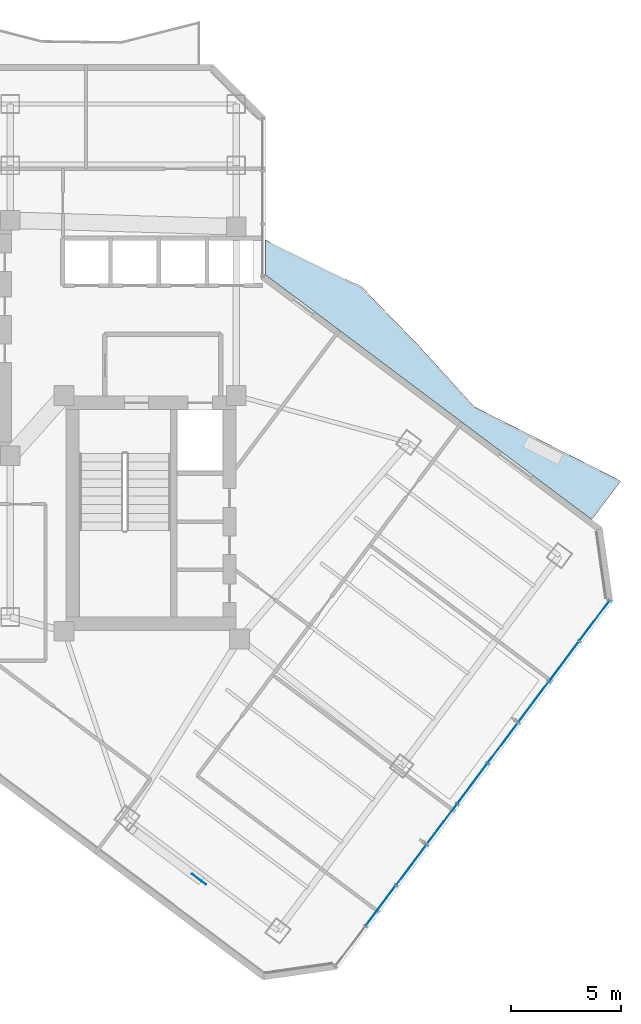
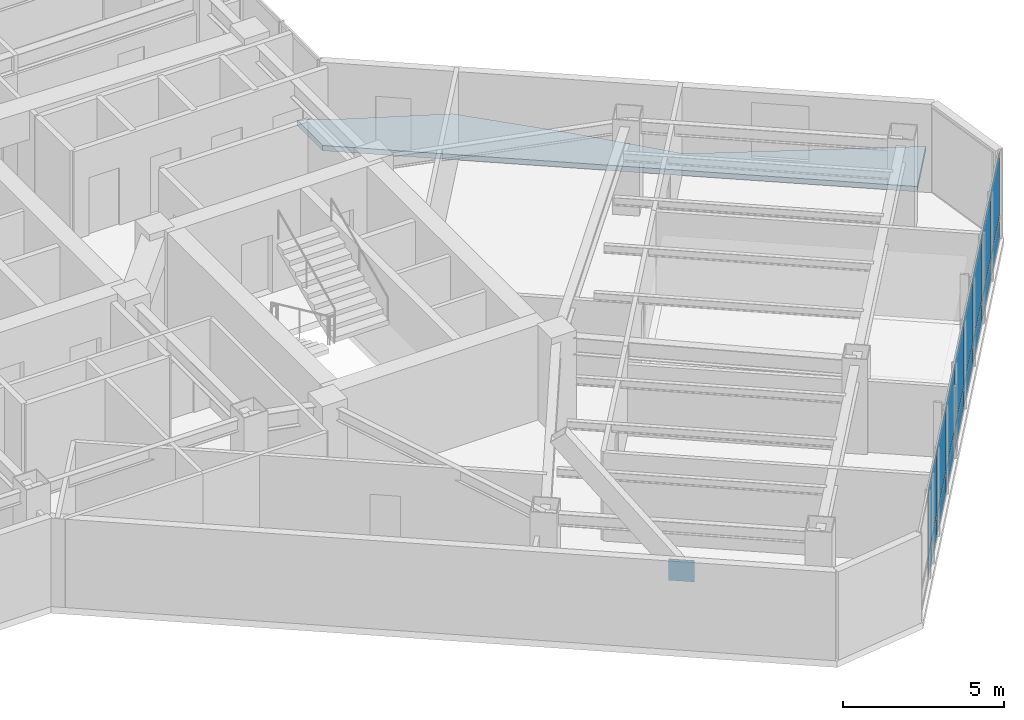
# One storey, part 21 of 28: 17 plates, 1 slab, 1 element without a shape of its own.
"""IFC4 building model written with IfcOpenShell, lengths in metres."""

from ifc_helpers import new_model, si_unit, direction, frame, origin, origin_2d, place, context, subcontext, project, spatial, polyline, rectangle, outline, extrude, material, layer, layer_set, type_object, element, aggregate, save


model = new_model("IFC4")

# Units and contexts
model_context = context("Model", 3, precision=1e-05, world=origin(), true_north=direction((0.0, 1.0)))
body_context = subcontext(model_context, "Body", "Model", "MODEL_VIEW")
ifc_project = project(units=[si_unit("LENGTHUNIT", "METRE"), si_unit("AREAUNIT", "SQUARE_METRE"), si_unit("VOLUMEUNIT", "CUBIC_METRE"), si_unit("PLANEANGLEUNIT", "RADIAN"), si_unit("MASSUNIT", "GRAM", prefix="KILO")], contexts=[model_context])

# Site, building, storey
site_placement = place(None, origin())
site = spatial("IfcSite", under=ifc_project, at=site_placement, CompositionType="ELEMENT")
building_placement = place(site_placement, origin())
building = spatial("IfcBuilding", under=site, at=building_placement, Name="Hatsunagi Terrace Concourse", CompositionType="ELEMENT")
storey_placement = place(building_placement, frame((0.0, 0.0, 160.050048828125)))
storey = spatial("IfcBuildingStorey", under=building, at=storey_placement, Name="L42", CompositionType="ELEMENT", Elevation=160.050048828125)

# Curtain wall, plates
ifc_material_1 = material(Name="Anodised Aluminium Alloy 6063-T5", Category="aluminium")
ifc_layer_1 = layer(ifc_material_1, 0.199951171875)
ifc_layer_set_1 = layer_set([ifc_layer_1], Name="OfficeZone1_CW03")
curtain_wall_type = type_object("IfcCurtainWallType", Name="OfficeZone1_CW03", PredefinedType="NOTDEFINED", material=ifc_layer_set_1)
curtain_wall_placement = place(storey_placement, origin())
curtain_wall = element("IfcCurtainWall", 1, at=curtain_wall_placement, inside=storey, type_object=curtain_wall_type, Name="Unitised Curtain Wall CW-03 CW-L42-03", PredefinedType="NOTDEFINED")
ifc_material_2 = material(Name="Warm Terracotta Ceramic Spandrel Panel", Category="masonry")
ifc_layer_2 = layer(ifc_material_2, 0.031982421875)
ifc_layer_set_2 = layer_set([ifc_layer_2], Name="CurtainWallSpandrelPanel_32")
plate_type_1 = type_object("IfcPlateType", Name="CurtainWallSpandrelPanel_32", PredefinedType="SHEET", material=ifc_layer_set_2)
plate_1_placement = place(storey_placement, frame((59.9970703125, 25.030029296875, 0.030029296875), z_axis=(0.0, 0.0, 1.0), x_axis=(-0.599969314634, -0.800023013105, 0.0)))
plate_1 = element("IfcPlate", 2, at=plate_1_placement, type_object=plate_type_1, Name="Terracotta Spandrel Panel SPN-01", PredefinedType="SHEET", context=body_context, shape_type="SweptSolid", body=[
    extrude(rectangle(XDim=2.264892578125, YDim=0.031982421875, at=origin_2d()), origin(), (0.0, 0.0, 1.0), 0.7900390625),
])
plate_2_placement = place(storey_placement, frame((58.60498046875, 23.173095703125, 0.030029296875), z_axis=(0.0, 0.0, 1.0), x_axis=(-0.599969314634, -0.800023013105, 0.0)))
plate_2 = element("IfcPlate", 3, at=plate_2_placement, type_object=plate_type_1, Name="Terracotta Spandrel Panel SPN-01", PredefinedType="SHEET", context=body_context, shape_type="SweptSolid", body=[
    extrude(rectangle(XDim=2.264892578125, YDim=0.031982421875, at=origin_2d()), origin(), (0.0, 0.0, 1.0), 0.7900390625),
])
plate_3_placement = place(storey_placement, frame((57.2119140625, 21.31689453125, 0.030029296875), z_axis=(0.0, 0.0, 1.0), x_axis=(-0.599969314634, -0.800023013105, 0.0)))
plate_3 = element("IfcPlate", 4, at=plate_3_placement, type_object=plate_type_1, Name="Terracotta Spandrel Panel SPN-01", PredefinedType="SHEET", context=body_context, shape_type="SweptSolid", body=[
    extrude(rectangle(XDim=2.264892578125, YDim=0.031982421875, at=origin_2d()), origin(), (0.0, 0.0, 1.0), 0.7900390625),
])
plate_4_placement = place(storey_placement, frame((55.820068359375, 19.4599609375, 0.030029296875), z_axis=(0.0, 0.0, 1.0), x_axis=(-0.599969314634, -0.800023013105, 0.0)))
plate_4 = element("IfcPlate", 5, at=plate_4_placement, type_object=plate_type_1, Name="Terracotta Spandrel Panel SPN-01", PredefinedType="SHEET", context=body_context, shape_type="SweptSolid", body=[
    extrude(rectangle(XDim=2.264892578125, YDim=0.031982421875, at=origin_2d()), origin(), (0.0, 0.0, 1.0), 0.7900390625),
])
plate_5_placement = place(storey_placement, frame((54.427978515625, 17.60400390625, 0.030029296875), z_axis=(0.0, 0.0, 1.0), x_axis=(-0.599969314634, -0.800023013105, 0.0)))
plate_5 = element("IfcPlate", 6, at=plate_5_placement, type_object=plate_type_1, Name="Terracotta Spandrel Panel SPN-01", PredefinedType="SHEET", context=body_context, shape_type="SweptSolid", body=[
    extrude(rectangle(XDim=2.264892578125, YDim=0.031982421875, at=origin_2d()), origin(), (0.0, 0.0, 1.0), 0.7900390625),
])
plate_6_placement = place(storey_placement, frame((53.035888671875, 15.748046875, 0.030029296875), z_axis=(0.0, 0.0, 1.0), x_axis=(-0.599969314634, -0.800023013105, 0.0)))
plate_6 = element("IfcPlate", 7, at=plate_6_placement, type_object=plate_type_1, Name="Terracotta Spandrel Panel SPN-01", PredefinedType="SHEET", context=body_context, shape_type="SweptSolid", body=[
    extrude(rectangle(XDim=2.264892578125, YDim=0.031982421875, at=origin_2d()), origin(), (0.0, 0.0, 1.0), 0.7900390625),
])
plate_7_placement = place(storey_placement, frame((51.64404296875, 13.89111328125, 0.030029296875), z_axis=(0.0, 0.0, 1.0), x_axis=(-0.599969314634, -0.800023013105, 0.0)))
plate_7 = element("IfcPlate", 8, at=plate_7_placement, type_object=plate_type_1, Name="Terracotta Spandrel Panel SPN-01", PredefinedType="SHEET", context=body_context, shape_type="SweptSolid", body=[
    extrude(rectangle(XDim=2.264892578125, YDim=0.031982421875, at=origin_2d()), origin(), (0.0, 0.0, 1.0), 0.7900390625),
])
plate_8_placement = place(storey_placement, frame((50.2509765625, 12.034912109375, 0.030029296875), z_axis=(0.0, 0.0, 1.0), x_axis=(-0.599969314634, -0.800023013105, 0.0)))
plate_8 = element("IfcPlate", 9, at=plate_8_placement, type_object=plate_type_1, Name="Terracotta Spandrel Panel SPN-01", PredefinedType="SHEET", context=body_context, shape_type="SweptSolid", body=[
    extrude(rectangle(XDim=2.264892578125, YDim=0.031982421875, at=origin_2d()), origin(), (0.0, 0.0, 1.0), 0.7900390625),
])
ifc_material_3 = material(Name="Low-E Double Insulating Glass 28mm", Category="glass")
ifc_layer_3 = layer(ifc_material_3, 0.028076171875)
ifc_layer_set_3 = layer_set([ifc_layer_3], Name="CurtainWallVisionGlass_28")
plate_type_2 = type_object("IfcPlateType", Name="CurtainWallVisionGlass_28", PredefinedType="CURTAIN_PANEL", material=ifc_layer_set_3)
plate_9_placement = place(storey_placement, frame((59.9970703125, 25.030029296875, 0.8798828125), z_axis=(0.0, 0.0, 1.0), x_axis=(-0.599969314634, -0.800023013105, 0.0)))
plate_9 = element("IfcPlate", 10, at=plate_9_placement, type_object=plate_type_2, Name="Low-E Vision Glass Panel GLZ-01", PredefinedType="CURTAIN_PANEL", context=body_context, shape_type="SweptSolid", body=[
    extrude(rectangle(XDim=2.264892578125, YDim=0.028076171875, at=origin_2d()), origin(), (0.0, 0.0, 1.0), 2.43994140625),
])
plate_10_placement = place(storey_placement, frame((58.60498046875, 23.173095703125, 0.8798828125), z_axis=(0.0, 0.0, 1.0), x_axis=(-0.599969314634, -0.800023013105, 0.0)))
plate_10 = element("IfcPlate", 11, at=plate_10_placement, type_object=plate_type_2, Name="Low-E Vision Glass Panel GLZ-01", PredefinedType="CURTAIN_PANEL", context=body_context, shape_type="SweptSolid", body=[
    extrude(rectangle(XDim=2.264892578125, YDim=0.028076171875, at=origin_2d()), origin(), (0.0, 0.0, 1.0), 2.43994140625),
])
plate_11_placement = place(storey_placement, frame((57.2119140625, 21.31689453125, 0.8798828125), z_axis=(0.0, 0.0, 1.0), x_axis=(-0.599969314634, -0.800023013105, 0.0)))
plate_11 = element("IfcPlate", 12, at=plate_11_placement, type_object=plate_type_2, Name="Low-E Vision Glass Panel GLZ-01", PredefinedType="CURTAIN_PANEL", context=body_context, shape_type="SweptSolid", body=[
    extrude(rectangle(XDim=2.264892578125, YDim=0.028076171875, at=origin_2d()), origin(), (0.0, 0.0, 1.0), 2.43994140625),
])
plate_12_placement = place(storey_placement, frame((55.820068359375, 19.4599609375, 0.8798828125), z_axis=(0.0, 0.0, 1.0), x_axis=(-0.599969314634, -0.800023013105, 0.0)))
plate_12 = element("IfcPlate", 13, at=plate_12_placement, type_object=plate_type_2, Name="Low-E Vision Glass Panel GLZ-01", PredefinedType="CURTAIN_PANEL", context=body_context, shape_type="SweptSolid", body=[
    extrude(rectangle(XDim=2.264892578125, YDim=0.028076171875, at=origin_2d()), origin(), (0.0, 0.0, 1.0), 2.43994140625),
])
plate_13_placement = place(storey_placement, frame((54.427978515625, 17.60400390625, 0.8798828125), z_axis=(0.0, 0.0, 1.0), x_axis=(-0.599969314634, -0.800023013105, 0.0)))
plate_13 = element("IfcPlate", 14, at=plate_13_placement, type_object=plate_type_2, Name="Low-E Vision Glass Panel GLZ-01", PredefinedType="CURTAIN_PANEL", context=body_context, shape_type="SweptSolid", body=[
    extrude(rectangle(XDim=2.264892578125, YDim=0.028076171875, at=origin_2d()), origin(), (0.0, 0.0, 1.0), 2.43994140625),
])
plate_14_placement = place(storey_placement, frame((53.035888671875, 15.748046875, 0.8798828125), z_axis=(0.0, 0.0, 1.0), x_axis=(-0.599969314634, -0.800023013105, 0.0)))
plate_14 = element("IfcPlate", 15, at=plate_14_placement, type_object=plate_type_2, Name="Low-E Vision Glass Panel GLZ-01", PredefinedType="CURTAIN_PANEL", context=body_context, shape_type="SweptSolid", body=[
    extrude(rectangle(XDim=2.264892578125, YDim=0.028076171875, at=origin_2d()), origin(), (0.0, 0.0, 1.0), 2.43994140625),
])
plate_15_placement = place(storey_placement, frame((51.64404296875, 13.89111328125, 0.8798828125), z_axis=(0.0, 0.0, 1.0), x_axis=(-0.599969314634, -0.800023013105, 0.0)))
plate_15 = element("IfcPlate", 16, at=plate_15_placement, type_object=plate_type_2, Name="Low-E Vision Glass Panel GLZ-01", PredefinedType="CURTAIN_PANEL", context=body_context, shape_type="SweptSolid", body=[
    extrude(rectangle(XDim=2.264892578125, YDim=0.028076171875, at=origin_2d()), origin(), (0.0, 0.0, 1.0), 2.43994140625),
])
plate_16_placement = place(storey_placement, frame((50.2509765625, 12.034912109375, 0.8798828125), z_axis=(0.0, 0.0, 1.0), x_axis=(-0.599969314634, -0.800023013105, 0.0)))
plate_16 = element("IfcPlate", 17, at=plate_16_placement, type_object=plate_type_2, Name="Low-E Vision Glass Panel GLZ-01", PredefinedType="CURTAIN_PANEL", context=body_context, shape_type="SweptSolid", body=[
    extrude(rectangle(XDim=2.264892578125, YDim=0.028076171875, at=origin_2d()), origin(), (0.0, 0.0, 1.0), 2.43994140625),
])
aggregate(curtain_wall, [plate_1, plate_9, plate_2, plate_10, plate_3, plate_11, plate_4, plate_12, plate_5, plate_13, plate_6, plate_14, plate_7, plate_15, plate_8, plate_16])

# Slab
ifc_material_4 = material(Name="Concrete Fc42", Category="concrete")
ifc_layer_4 = layer(ifc_material_4, 0.199951171875)
ifc_layer_set_4 = layer_set([ifc_layer_4], Name="EngawaBalconySlab_Fc42_200")
slab_type = type_object("IfcSlabType", Name="EngawaBalconySlab_Fc42_200", PredefinedType="FLOOR", material=ifc_layer_set_4)
slab_placement = place(storey_placement, frame((0.0, 0.0, -0.199951171875)))
element("IfcSlab", 18, at=slab_placement, inside=storey, type_object=slab_type, Name="Engawa Balcony Slab BAL-L42-BSE", PredefinedType="FLOOR", context=body_context, shape_type="SweptSolid", body=[
    extrude(outline(polyline([(45.93896484375, 41.885009765625), (44.99609375, 42.406982421875), (44.99609375, 40.802978515625), (59.8798828125, 29.639892578125), (61.199951171875, 31.39990234375), (54.5009765625, 34.801025390625), (51.967041015625, 37.590087890625), (49.35595703125, 40.27490234375), (45.93896484375, 41.885009765625)])), origin(), (0.0, 0.0, 1.0), 0.199951171875),
])

# Plate
ifc_material_5 = material(Name="Steel SN490C", Category="steel")
ifc_layer_5 = layer(ifc_material_5, 0.031982421875)
ifc_layer_set_5 = layer_set([ifc_layer_5], Name="XBraceNodeCapPlate_32")
plate_type_3 = type_object("IfcPlateType", Name="XBraceNodeCapPlate_32", PredefinedType="USERDEFINED", material=ifc_layer_set_5)
plate_17_placement = place(storey_placement, frame((41.951904296875, 13.236083984375, 1.27490234375), z_axis=(0.0, 0.0, 1.0), x_axis=(0.799999996291, -0.600000004945, 0.0)))
element("IfcPlate", 19, at=plate_17_placement, inside=storey, type_object=plate_type_3, Name="X-Brace Crossing Gusset Node Plate GP-02 XB-L41-SE", ObjectType="GUSSET_PLATE", PredefinedType="USERDEFINED", context=body_context, shape_type="SweptSolid", body=[
    extrude(rectangle(XDim=0.800048828125, YDim=0.031982421875, at=origin_2d()), origin(), (0.0, 0.0, 1.0), 0.800048828125),
])

save(model, "model.ifc")
